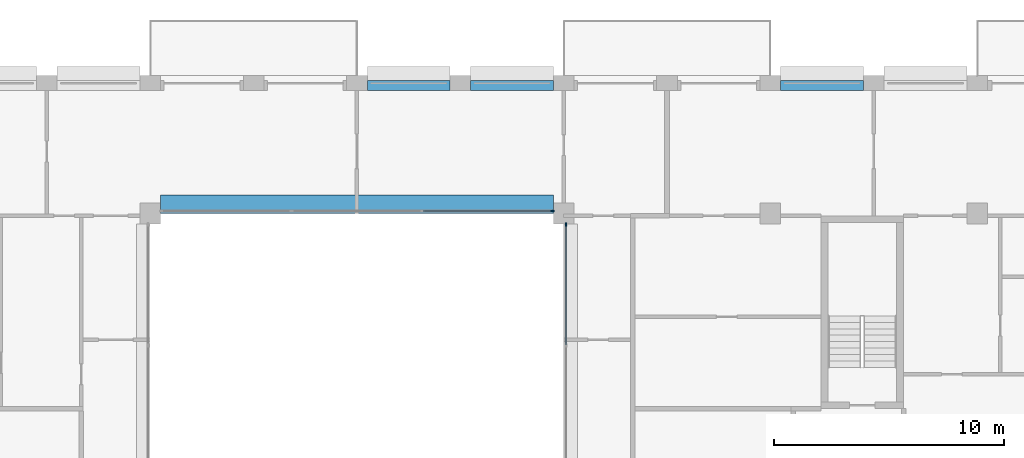
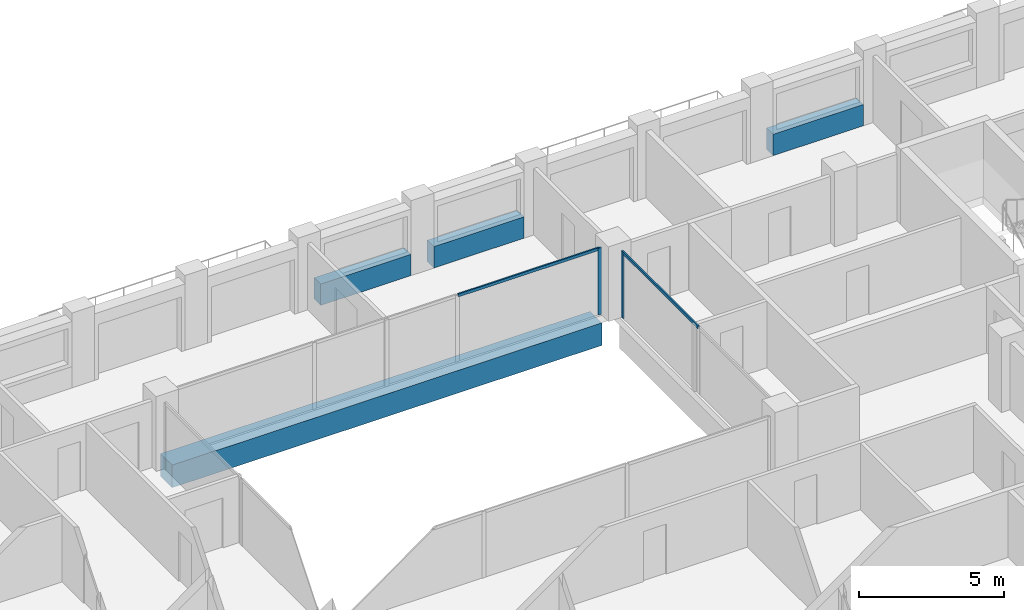
# One storey, part 6 of 15: 4 beams, 4 members, 2 elements without a shape of their own.
"""IFC4 building model written with IfcOpenShell, lengths in metres."""

from ifc_helpers import new_model, si_unit, direction, frame, origin, origin_2d, place, context, subcontext, project, spatial, rectangle, extrude, material, layer, layer_set, material_profile, profile_set, type_object, element, aggregate, save


model = new_model("IFC4")

# Units and contexts
model_context = context("Model", 3, precision=1e-05, world=origin(), true_north=direction((0.0, 1.0)))
body_context = subcontext(model_context, "Body", "Model", "MODEL_VIEW")
ifc_project = project(units=[si_unit("LENGTHUNIT", "METRE"), si_unit("AREAUNIT", "SQUARE_METRE"), si_unit("VOLUMEUNIT", "CUBIC_METRE"), si_unit("PLANEANGLEUNIT", "RADIAN"), si_unit("MASSUNIT", "GRAM", prefix="KILO")], contexts=[model_context])

# Site, building, storey
site_placement = place(None, origin())
site = spatial("IfcSite", under=ifc_project, at=site_placement, CompositionType="ELEMENT")
building_placement = place(site_placement, origin())
building = spatial("IfcBuilding", under=site, at=building_placement, Name="Brigalow Station Residences", CompositionType="ELEMENT")
storey_placement = place(building_placement, frame((0.0, 0.0, 232.64990234375)))
storey = spatial("IfcBuildingStorey", under=building, at=storey_placement, Name="L67", CompositionType="ELEMENT", Elevation=232.64990234375)

# Beam
ifc_material_1 = material(Name="Concrete C65", Category="concrete")
ifc_material_profile_1 = material_profile(ifc_material_1, rectangle(XDim=0.800048828125, YDim=0.949951171875, at=origin_2d()), Name="RC800x950")
ifc_profile_set_1 = profile_set([ifc_material_profile_1], Name="Concrete C65")
beam_type_1 = type_object("IfcBeamType", Name="ATRIUM EDGE GIRDER OVER 13.5 M SPAN 800x950 C65", PredefinedType="BEAM", material=ifc_profile_set_1)
beam_placement = place(storey_placement, frame((27.449951171875, 35.89990234375, -0.794921875), z_axis=(1.0, 0.0, 0.0), x_axis=(0.0, 1.0, 0.0)))
element("IfcBeam", 1, at=beam_placement, inside=storey, type_object=beam_type_1, Name="ATRIUM EDGE GIRDER D L67", PredefinedType="BEAM", context=body_context, shape_type="SweptSolid", body=[
    extrude(rectangle(XDim=0.800048828125, YDim=0.949951171875, at=origin_2d()), origin(), (0.0, 0.0, 1.0), 17.10009765625),
])

# Curtain wall, member
ifc_material_2 = material(Name="Aluminium", Category="aluminium")
ifc_layer = layer(ifc_material_2, 0.14990234375)
ifc_layer_set = layer_set([ifc_layer], Name="ATRIUM FIRE-RATED GLAZING CURTAIN WALL")
curtain_wall_type = type_object("IfcCurtainWallType", Name="ATRIUM FIRE-RATED GLAZING CURTAIN WALL", PredefinedType="NOTDEFINED", material=ifc_layer_set)
curtain_wall_1_placement = place(storey_placement, origin())
curtain_wall_1 = element("IfcCurtainWall", 2, at=curtain_wall_1_placement, inside=storey, type_object=curtain_wall_type, Name="L67/cw/atrium-E", PredefinedType="NOTDEFINED")
ifc_material_3 = material(Name="Aluminium", Category="aluminium")
ifc_material_profile_2 = material_profile(ifc_material_3, rectangle(XDim=0.06005859375, YDim=0.14990234375, at=origin_2d()), Name="ATRIUM FIRE-RATED GLAZING MULLION 60x150")
ifc_profile_set_2 = profile_set([ifc_material_profile_2], Name="Aluminium")
member_type_1 = type_object("IfcMemberType", Name="ATRIUM FIRE-RATED GLAZING MULLION 60x150", PredefinedType="MULLION", material=ifc_profile_set_2)
member_1_placement = place(storey_placement, frame((45.10009765625, 35.02001953125, 0.0), z_axis=(0.0, 0.0, 1.0), x_axis=(-1.0, 0.0, 0.0)))
member_1 = element("IfcMember", 3, at=member_1_placement, type_object=member_type_1, Name="L67/cw/atrium-E/M02", PredefinedType="MULLION", context=body_context, shape_type="SweptSolid", body=[
    extrude(rectangle(XDim=0.06005859375, YDim=0.14990234375, at=origin_2d()), origin(), (0.0, 0.0, 1.0), 2.800048828125),
])

curtain_wall_2_placement = place(storey_placement, origin())
curtain_wall_2 = element("IfcCurtainWall", 4, at=curtain_wall_2_placement, inside=storey, type_object=curtain_wall_type, Name="L67/cw/atrium-N", PredefinedType="NOTDEFINED")
member_2_placement = place(storey_placement, frame((44.52001953125, 35.60009765625, 0.0), z_axis=(0.0, 0.0, 1.0), x_axis=(0.0, -1.0, 0.0)))
member_2 = element("IfcMember", 5, at=member_2_placement, type_object=member_type_1, Name="L67/cw/atrium-N/M00", PredefinedType="MULLION", context=body_context, shape_type="SweptSolid", body=[
    extrude(rectangle(XDim=0.06005859375, YDim=0.14990234375, at=origin_2d()), origin(), (0.0, 0.0, 1.0), 2.800048828125),
])

# Member
ifc_material_4 = material(Name="Aluminium", Category="aluminium")
ifc_material_profile_3 = material_profile(ifc_material_4, rectangle(XDim=0.06005859375, YDim=0.1201171875, at=origin_2d()), Name="ATRIUM FIRE-RATED GLAZING TRANSOM 60x120")
ifc_profile_set_3 = profile_set([ifc_material_profile_3], Name="Aluminium")
member_type_2 = type_object("IfcMemberType", Name="ATRIUM FIRE-RATED GLAZING TRANSOM 60x120", PredefinedType="USERDEFINED", material=ifc_profile_set_3)
member_3_placement = place(storey_placement, frame((45.10009765625, 29.780029296875, 2.77001953125), z_axis=(0.0, 1.0, 0.0), x_axis=(-1.0, 0.0, 0.0)))
member_3 = element("IfcMember", 6, at=member_3_placement, type_object=member_type_2, Name="L67/cw/atrium-E/T01-00", ObjectType="TRANSOM", PredefinedType="USERDEFINED", context=body_context, shape_type="SweptSolid", body=[
    extrude(rectangle(XDim=0.06005859375, YDim=0.1201171875, at=origin_2d()), origin(), (0.0, 0.0, 1.0), 5.2099609375),
])

aggregate(curtain_wall_1, [member_1, member_3])

member_4_placement = place(storey_placement, frame((44.489990234375, 35.60009765625, 2.77001953125), z_axis=(-1.0, 0.0, 0.0), x_axis=(0.0, -1.0, 0.0)))
member_4 = element("IfcMember", 7, at=member_4_placement, type_object=member_type_2, Name="L67/cw/atrium-N/T00-00", ObjectType="TRANSOM", PredefinedType="USERDEFINED", context=body_context, shape_type="SweptSolid", body=[
    extrude(rectangle(XDim=0.06005859375, YDim=0.1201171875, at=origin_2d()), origin(), (0.0, 0.0, 1.0), 5.610107421875),
])

aggregate(curtain_wall_2, [member_2, member_4])

# Beams
ifc_material_5 = material(Name="Concrete C50", Category="concrete")
ifc_material_profile_4 = material_profile(ifc_material_5, rectangle(XDim=0.449951171875, YDim=0.89990234375, at=origin_2d()), Name="RC450x900")
ifc_profile_set_4 = profile_set([ifc_material_profile_4], Name="Concrete C50")
beam_type_2 = type_object("IfcBeamType", Name="SPANDREL BEAM 450x900 C50", PredefinedType="SPANDREL", material=ifc_profile_set_4)
for number, where, z_axis, x_axis, name in (
    (8, (58.050048828125, 41.074951171875, 0.4501953125), (-1.0, 0.0, 0.0), (0.0, -1.0, 0.0), "L67/spandrel/W-L67-22"),
    (9, (44.550048828125, 41.074951171875, 0.4501953125), (-1.0, 0.0, 0.0), (0.0, -1.0, 0.0), "L67/spandrel/W-L67-25"),
    (10, (40.050048828125, 41.074951171875, 0.4501953125), (-1.0, 0.0, 0.0), (0.0, -1.0, 0.0), "L67/spandrel/W-L67-26"),
):
    element("IfcBeam", number, at=place(storey_placement, frame(where, z_axis=z_axis, x_axis=x_axis)), inside=storey, type_object=beam_type_2, Name=name, PredefinedType="SPANDREL", context=body_context, shape_type="SweptSolid", body=[
        extrude(rectangle(XDim=0.449951171875, YDim=0.89990234375, at=origin_2d()), origin(), (0.0, 0.0, 1.0), 3.60009765625),
    ])

save(model, "model.ifc")
